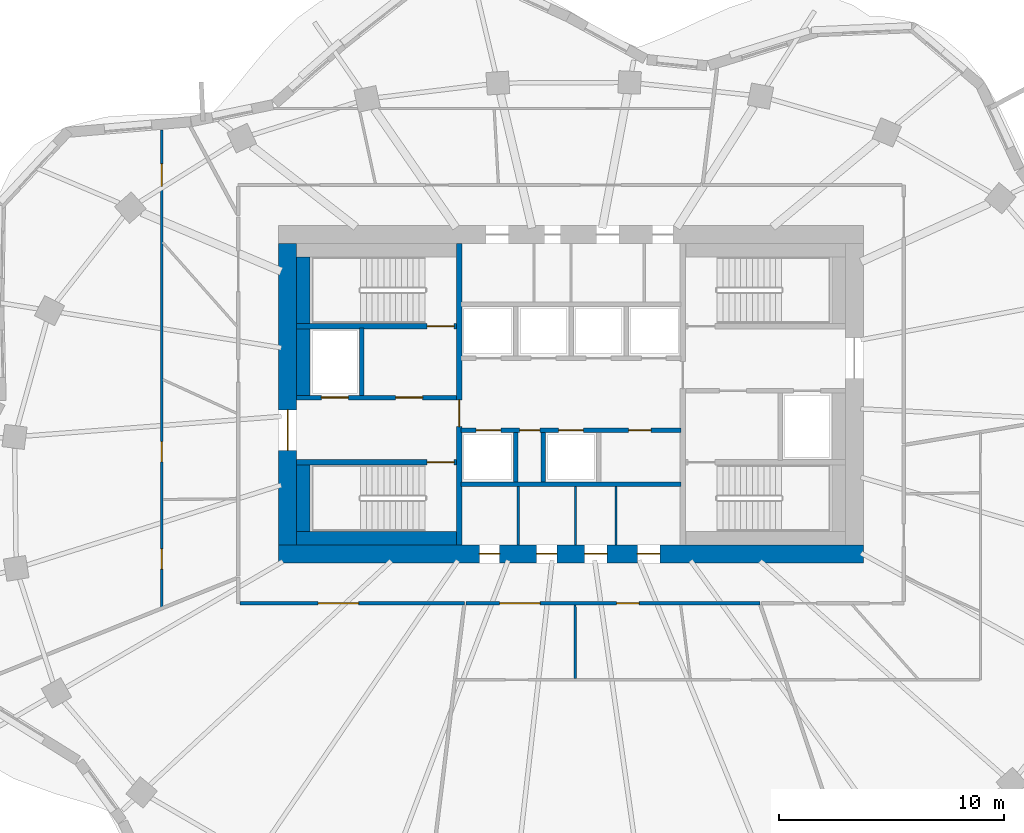
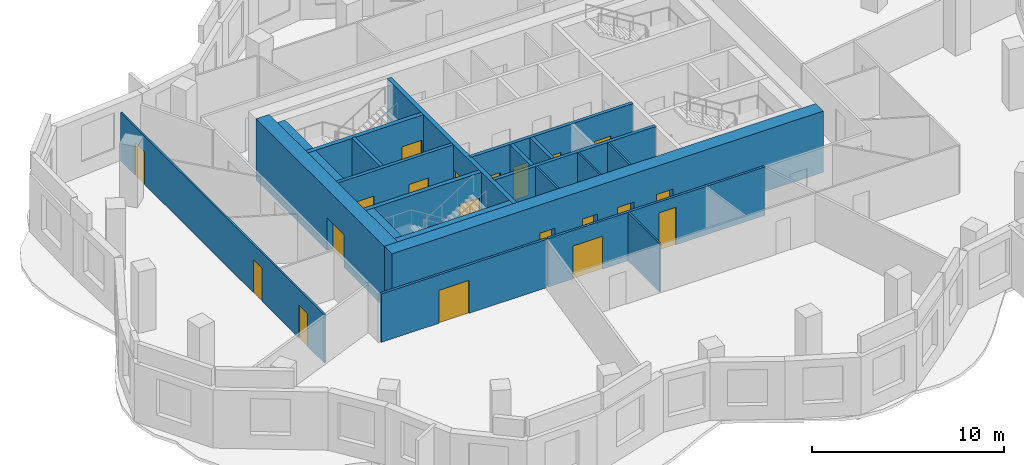
# One storey, part 4 of 9: 22 walls, 20 doors, 20 openings.
"""IFC4 building model written with IfcOpenShell, lengths in metres."""

from ifc_helpers import new_model, si_unit, direction, frame, frame_2d, origin, place, context, subcontext, project, spatial, rectangle, extrude, material, layer, layer_set, type_object, element, fill, save


model = new_model("IFC4")

# Units and contexts
model_context = context("Model", 3, precision=1e-05, world=origin(), true_north=direction((0.0, 1.0)))
body_context = subcontext(model_context, "Body", "Model", "MODEL_VIEW")
ifc_project = project(units=[si_unit("LENGTHUNIT", "METRE"), si_unit("AREAUNIT", "SQUARE_METRE"), si_unit("VOLUMEUNIT", "CUBIC_METRE"), si_unit("PLANEANGLEUNIT", "RADIAN"), si_unit("MASSUNIT", "GRAM", prefix="KILO")], contexts=[model_context])

# Site, building, storey
site_placement = place(None, origin())
site = spatial("IfcSite", under=ifc_project, at=site_placement, CompositionType="ELEMENT")
building_placement = place(site_placement, origin())
building = spatial("IfcBuilding", under=site, at=building_placement, Name="Rubra Terraces Tower", CompositionType="ELEMENT")
storey_placement = place(building_placement, frame((0.0, 0.0, 244.800048828125)))
storey = spatial("IfcBuildingStorey", under=building, at=storey_placement, Name="L60", CompositionType="ELEMENT", Elevation=244.800048828125)

# Wall, openings, doors
ifc_material_1 = material(Name="Concrete C50", Category="concrete")
ifc_layer_1 = layer(ifc_material_1, 0.800048828125)
ifc_layer_set_1 = layer_set([ifc_layer_1], Name="Concrete C50")
wall_type_1 = type_object("IfcWallType", Name="CORE WALL 800 C50", PredefinedType="SHEAR", material=ifc_layer_set_1)
wall_1_placement = place(storey_placement, frame((-13.0, -2.60009765625, 0.0), z_axis=(0.0, 0.0, 1.0), x_axis=(1.0, 0.0, 0.0)))
wall_1 = element("IfcWall", 1, at=wall_1_placement, inside=storey, type_object=wall_type_1, Name="CORE WALL S L60", PredefinedType="SHEAR", context=body_context, shape_type="SweptSolid", body=[
    extrude(rectangle(XDim=26.0, YDim=0.800048828125, at=frame_2d((13.0, 0.0))), origin(), (0.0, 0.0, 1.0), 3.89990234375),
])
opening_1_placement = place(wall_1_placement, frame((8.925048828125, 0.0, 0.0)))
opening_1 = element("IfcOpeningElement", 2, at=opening_1_placement, cuts=wall_1, Name="Opening L60.C21", PredefinedType="OPENING", context=body_context, shape_type="SweptSolid", body=[
    extrude(rectangle(XDim=0.89990234375, YDim=2.10009765625, at=frame_2d((0.449951171875, 1.050048828125))), frame((0.0, 0.409912109375, 0.0), z_axis=(0.0, -1.0, 0.0), x_axis=(1.0, 0.0, 0.0)), (0.0, 0.0, 1.0), 0.820068359375),
])
opening_2_placement = place(wall_1_placement, frame((11.47509765625, 0.0, 0.0)))
opening_2 = element("IfcOpeningElement", 3, at=opening_2_placement, cuts=wall_1, Name="Opening L60.C22", PredefinedType="OPENING", context=body_context, shape_type="SweptSolid", body=[
    extrude(rectangle(XDim=0.89990234375, YDim=2.10009765625, at=frame_2d((0.449951171875, 1.050048828125))), frame((0.0, 0.409912109375, 0.0), z_axis=(0.0, -1.0, 0.0), x_axis=(1.0, 0.0, 0.0)), (0.0, 0.0, 1.0), 0.820068359375),
])
opening_3_placement = place(wall_1_placement, frame((13.60009765625, 0.0, 0.0)))
opening_3 = element("IfcOpeningElement", 4, at=opening_3_placement, cuts=wall_1, Name="Opening L60.C23", PredefinedType="OPENING", context=body_context, shape_type="SweptSolid", body=[
    extrude(rectangle(XDim=1.0, YDim=2.10009765625, at=frame_2d((0.5, 1.050048828125))), frame((0.0, 0.409912109375, 0.0), z_axis=(0.0, -1.0, 0.0), x_axis=(1.0, 0.0, 0.0)), (0.0, 0.0, 1.0), 0.820068359375),
])
opening_4_placement = place(wall_1_placement, frame((15.949951171875, 0.0, 0.0)))
opening_4 = element("IfcOpeningElement", 5, at=opening_4_placement, cuts=wall_1, Name="Opening L60.C24", PredefinedType="OPENING", context=body_context, shape_type="SweptSolid", body=[
    extrude(rectangle(XDim=1.0, YDim=2.10009765625, at=frame_2d((0.5, 1.050048828125))), frame((0.0, 0.409912109375, 0.0), z_axis=(0.0, -1.0, 0.0), x_axis=(1.0, 0.0, 0.0)), (0.0, 0.0, 1.0), 0.820068359375),
])
ifc_material_2 = material(Name="Painted steel", Category="steel")
door_type_1 = type_object("IfcDoorType", Name="Fire door 1000x2100 single", OperationType="NOTDEFINED", PredefinedType="DOOR", material=ifc_material_2)
door_1_placement = place(opening_3_placement, origin())
door_1 = element("IfcDoor", 6, at=door_1_placement, inside=storey, type_object=door_type_1, Name="Accessible WC door", OperationType="SINGLE_SWING_LEFT", OverallHeight=2.10009765625, OverallWidth=1.0, PredefinedType="DOOR", context=body_context, shape_type="SweptSolid", body=[
    extrude(rectangle(XDim=1.0, YDim=2.10009765625, at=frame_2d((0.5, 1.050048828125))), frame((0.0, 0.02490234375, 0.0), z_axis=(0.0, -1.0, 0.0), x_axis=(1.0, 0.0, 0.0)), (0.0, 0.0, 1.0), 0.050048828125),
])
fill(opening_3, door_1)
door_2_placement = place(opening_4_placement, origin())
door_2 = element("IfcDoor", 7, at=door_2_placement, inside=storey, type_object=door_type_1, Name="General store door", OperationType="SINGLE_SWING_RIGHT", OverallHeight=2.10009765625, OverallWidth=1.0, PredefinedType="DOOR", context=body_context, shape_type="SweptSolid", body=[
    extrude(rectangle(XDim=1.0, YDim=2.10009765625, at=frame_2d((0.5, 1.050048828125))), frame((0.0, 0.02490234375, 0.0), z_axis=(0.0, -1.0, 0.0), x_axis=(1.0, 0.0, 0.0)), (0.0, 0.0, 1.0), 0.050048828125),
])
fill(opening_4, door_2)
door_type_2 = type_object("IfcDoorType", Name="Fire door 900x2100 single", OperationType="NOTDEFINED", PredefinedType="DOOR", material=ifc_material_2)
door_3_placement = place(opening_1_placement, origin())
door_3 = element("IfcDoor", 8, at=door_3_placement, inside=storey, type_object=door_type_2, Name="Ladies WC door", OperationType="SINGLE_SWING_LEFT", OverallHeight=2.10009765625, OverallWidth=0.89990234375, PredefinedType="DOOR", context=body_context, shape_type="SweptSolid", body=[
    extrude(rectangle(XDim=0.89990234375, YDim=2.10009765625, at=frame_2d((0.449951171875, 1.050048828125))), frame((0.0, 0.02490234375, 0.0), z_axis=(0.0, -1.0, 0.0), x_axis=(1.0, 0.0, 0.0)), (0.0, 0.0, 1.0), 0.050048828125),
])
fill(opening_1, door_3)
door_4_placement = place(opening_2_placement, origin())
door_4 = element("IfcDoor", 9, at=door_4_placement, inside=storey, type_object=door_type_2, Name="Gents WC door", OperationType="SINGLE_SWING_RIGHT", OverallHeight=2.10009765625, OverallWidth=0.89990234375, PredefinedType="DOOR", context=body_context, shape_type="SweptSolid", body=[
    extrude(rectangle(XDim=0.89990234375, YDim=2.10009765625, at=frame_2d((0.449951171875, 1.050048828125))), frame((0.0, 0.02490234375, 0.0), z_axis=(0.0, -1.0, 0.0), x_axis=(1.0, 0.0, 0.0)), (0.0, 0.0, 1.0), 0.050048828125),
])
fill(opening_2, door_4)

# Wall, opening, door
wall_2_placement = place(storey_placement, frame((-12.60009765625, -2.199951171875, 0.0), z_axis=(0.0, 0.0, 1.0), x_axis=(0.0, 1.0, 0.0)))
wall_2 = element("IfcWall", 10, at=wall_2_placement, inside=storey, type_object=wall_type_1, Name="CORE WALL W L60", PredefinedType="SHEAR", context=body_context, shape_type="SweptSolid", body=[
    extrude(rectangle(XDim=13.39990234375, YDim=0.800048828125, at=frame_2d((6.699951171875, 0.0))), origin(), (0.0, 0.0, 1.0), 3.89990234375),
])
opening_5_placement = place(wall_2_placement, frame((4.199951171875, 0.0, 0.0)))
opening_5 = element("IfcOpeningElement", 11, at=opening_5_placement, cuts=wall_2, Name="Opening L60.C01", PredefinedType="OPENING", context=body_context, shape_type="SweptSolid", body=[
    extrude(rectangle(XDim=1.800048828125, YDim=2.10009765625, at=frame_2d((0.89990234375, 1.050048828125))), frame((0.0, 0.409912109375, 0.0), z_axis=(0.0, -1.0, 0.0), x_axis=(1.0, 0.0, 0.0)), (0.0, 0.0, 1.0), 0.820068359375),
])
door_type_3 = type_object("IfcDoorType", Name="Fire door 1800x2100 double", OperationType="NOTDEFINED", PredefinedType="DOOR", material=ifc_material_2)
door_5_placement = place(opening_5_placement, origin())
door_5 = element("IfcDoor", 12, at=door_5_placement, inside=storey, type_object=door_type_3, Name="Core entrance door FF1", OperationType="DOUBLE_DOOR_SINGLE_SWING", OverallHeight=2.10009765625, OverallWidth=1.800048828125, PredefinedType="DOOR", context=body_context, shape_type="SweptSolid", body=[
    extrude(rectangle(XDim=1.800048828125, YDim=2.10009765625, at=frame_2d((0.89990234375, 1.050048828125))), frame((0.0, 0.02490234375, 0.0), z_axis=(0.0, -1.0, 0.0), x_axis=(1.0, 0.0, 0.0)), (0.0, 0.0, 1.0), 0.050048828125),
])
fill(opening_5, door_5)

ifc_material_3 = material(Name="Plasterboard on steel stud, mineral wool infill", Category="steel")
ifc_layer_2 = layer(ifc_material_3, 0.14990234375)
ifc_layer_set_2 = layer_set([ifc_layer_2], Name="Plasterboard on steel stud, mineral wool infill")
wall_type_2 = type_object("IfcWallType", Name="CORRIDOR PARTITION 150", PredefinedType="PARTITIONING", material=ifc_layer_set_2)
wall_3_placement = place(storey_placement, frame((-14.72509765625, -4.800048828125, 0.0), z_axis=(0.0, 0.0, 1.0), x_axis=(1.0, 0.0, 0.0)))
wall_3 = element("IfcWall", 13, at=wall_3_placement, inside=storey, type_object=wall_type_2, Name="PARTITION", PredefinedType="PARTITIONING", context=body_context, shape_type="SweptSolid", body=[
    extrude(rectangle(XDim=9.986572265625, YDim=0.14990234375, at=frame_2d((4.9931640625, 0.0))), origin(), (0.0, 0.0, 1.0), 3.083984375),
])
opening_6_placement = place(wall_3_placement, frame((3.48388671875, 0.0, 0.0)))
opening_6 = element("IfcOpeningElement", 14, at=opening_6_placement, cuts=wall_3, Name="Opening 60-101", PredefinedType="OPENING", context=body_context, shape_type="SweptSolid", body=[
    extrude(rectangle(XDim=1.800048828125, YDim=2.10009765625, at=frame_2d((0.89990234375, 1.050048828125))), frame((0.0, 0.0849609375, 0.0), z_axis=(0.0, -1.0, 0.0), x_axis=(1.0, 0.0, 0.0)), (0.0, 0.0, 1.0), 0.169921875),
])
ifc_material_4 = material(Name="Painted timber door leaf, double", Category="wood")
door_type_4 = type_object("IfcDoorType", Name="ROOM DOUBLE DOOR 1800 X 2100", OperationType="DOUBLE_DOOR_SINGLE_SWING", PredefinedType="DOOR", material=ifc_material_4)
door_6_placement = place(opening_6_placement, origin())
door_6 = element("IfcDoor", 15, at=door_6_placement, inside=storey, type_object=door_type_4, Name="DOOR 60-101", OperationType="DOUBLE_DOOR_SINGLE_SWING", OverallHeight=2.10009765625, OverallWidth=1.800048828125, PredefinedType="DOOR", context=body_context, shape_type="SweptSolid", body=[
    extrude(rectangle(XDim=1.800048828125, YDim=2.10009765625, at=frame_2d((0.89990234375, 1.050048828125))), frame((0.0, 0.02490234375, 0.0), z_axis=(0.0, -1.0, 0.0), x_axis=(1.0, 0.0, 0.0)), (0.0, 0.0, 1.0), 0.050048828125),
])
fill(opening_6, door_6)

# Wall, openings, doors
wall_4_placement = place(storey_placement, frame((-4.66357421875, -4.800048828125, 0.0), z_axis=(0.0, 0.0, 1.0), x_axis=(1.0, 0.0, 0.0)))
wall_4 = element("IfcWall", 16, at=wall_4_placement, inside=storey, type_object=wall_type_2, Name="PARTITION", PredefinedType="PARTITIONING", context=body_context, shape_type="SweptSolid", body=[
    extrude(rectangle(XDim=13.05810546875, YDim=0.14990234375, at=frame_2d((6.529052734375, 0.0))), origin(), (0.0, 0.0, 1.0), 3.083984375),
])
opening_7_placement = place(wall_4_placement, frame((1.485107421875, 0.0, 0.0)))
opening_7 = element("IfcOpeningElement", 17, at=opening_7_placement, cuts=wall_4, Name="Opening 60-102", PredefinedType="OPENING", context=body_context, shape_type="SweptSolid", body=[
    extrude(rectangle(XDim=1.800048828125, YDim=2.10009765625, at=frame_2d((0.89990234375, 1.050048828125))), frame((0.0, 0.0849609375, 0.0), z_axis=(0.0, -1.0, 0.0), x_axis=(1.0, 0.0, 0.0)), (0.0, 0.0, 1.0), 0.169921875),
])
opening_8_placement = place(wall_4_placement, frame((6.68603515625, 0.0, 0.0)))
opening_8 = element("IfcOpeningElement", 18, at=opening_8_placement, cuts=wall_4, Name="Opening 60-104", PredefinedType="OPENING", context=body_context, shape_type="SweptSolid", body=[
    extrude(rectangle(XDim=1.0, YDim=2.39990234375, at=frame_2d((0.5, 1.199951171875))), frame((0.0, 0.0849609375, 0.0), z_axis=(0.0, -1.0, 0.0), x_axis=(1.0, 0.0, 0.0)), (0.0, 0.0, 1.0), 0.169921875),
])
ifc_material_5 = material(Name="Glazed aluminium meeting door leaf", Category="aluminium")
door_type_5 = type_object("IfcDoorType", Name="MEETING ROOM GLAZED DOOR 1000 X 2400", OperationType="SINGLE_SWING_LEFT", PredefinedType="DOOR", material=ifc_material_5)
door_7_placement = place(opening_8_placement, origin())
door_7 = element("IfcDoor", 19, at=door_7_placement, inside=storey, type_object=door_type_5, Name="DOOR 60-104", OperationType="SINGLE_SWING_RIGHT", OverallHeight=2.39990234375, OverallWidth=1.0, PredefinedType="DOOR", context=body_context, shape_type="SweptSolid", body=[
    extrude(rectangle(XDim=1.0, YDim=2.39990234375, at=frame_2d((0.5, 1.199951171875))), frame((0.0, 0.02490234375, 0.0), z_axis=(0.0, -1.0, 0.0), x_axis=(1.0, 0.0, 0.0)), (0.0, 0.0, 1.0), 0.050048828125),
])
fill(opening_8, door_7)
door_8_placement = place(opening_7_placement, origin())
door_8 = element("IfcDoor", 20, at=door_8_placement, inside=storey, type_object=door_type_4, Name="DOOR 60-102", OperationType="DOUBLE_DOOR_SINGLE_SWING", OverallHeight=2.10009765625, OverallWidth=1.800048828125, PredefinedType="DOOR", context=body_context, shape_type="SweptSolid", body=[
    extrude(rectangle(XDim=1.800048828125, YDim=2.10009765625, at=frame_2d((0.89990234375, 1.050048828125))), frame((0.0, 0.02490234375, 0.0), z_axis=(0.0, -1.0, 0.0), x_axis=(1.0, 0.0, 0.0)), (0.0, 0.0, 1.0), 0.050048828125),
])
fill(opening_7, door_8)

# Walls
ifc_material_6 = material(Name="Concrete C40", Category="concrete")
ifc_layer_3 = layer(ifc_material_6, 0.60009765625)
ifc_layer_set_3 = layer_set([ifc_layer_3], Name="Concrete C40")
wall_type_3 = type_object("IfcWallType", Name="Core lining wall 600 concrete", PredefinedType="SOLIDWALL", material=ifc_layer_set_3)
wall_5_placement = place(storey_placement, frame((-12.199951171875, -1.89990234375, 0.0), z_axis=(0.0, 0.0, 1.0), x_axis=(1.0, 0.0, 0.0)))
element("IfcWall", 21, at=wall_5_placement, inside=storey, type_object=wall_type_3, Name="CORE LINING WALL L60", PredefinedType="SOLIDWALL", context=body_context, shape_type="SweptSolid", body=[
    extrude(rectangle(XDim=7.099853515625, YDim=0.60009765625, at=frame_2d((3.5498046875, 0.0))), origin(), (0.0, 0.0, 1.0), 3.699951171875),
])
wall_6_placement = place(storey_placement, frame((-11.89990234375, -1.60009765625, 0.0), z_axis=(0.0, 0.0, 1.0), x_axis=(0.0, 1.0, 0.0)))
element("IfcWall", 22, at=wall_6_placement, inside=storey, type_object=wall_type_3, Name="CORE LINING WALL L60", PredefinedType="SOLIDWALL", context=body_context, shape_type="SweptSolid", body=[
    extrude(rectangle(XDim=2.9501953125, YDim=0.60009765625, at=frame_2d((1.47509765625, 0.0))), origin(), (0.0, 0.0, 1.0), 3.699951171875),
])
wall_7_placement = place(storey_placement, frame((-11.89990234375, 4.449951171875, 0.0), z_axis=(0.0, 0.0, 1.0), x_axis=(0.0, 1.0, 0.0)))
element("IfcWall", 23, at=wall_7_placement, inside=storey, type_object=wall_type_3, Name="CORE LINING WALL L60", PredefinedType="SOLIDWALL", context=body_context, shape_type="SweptSolid", body=[
    extrude(rectangle(XDim=3.0, YDim=0.60009765625, at=frame_2d((1.5, 0.0))), origin(), (0.0, 0.0, 1.0), 3.699951171875),
])
wall_8_placement = place(storey_placement, frame((-11.89990234375, 7.64990234375, 0.0), z_axis=(0.0, 0.0, 1.0), x_axis=(0.0, 1.0, 0.0)))
element("IfcWall", 24, at=wall_8_placement, inside=storey, type_object=wall_type_3, Name="CORE LINING WALL L60", PredefinedType="SOLIDWALL", context=body_context, shape_type="SweptSolid", body=[
    extrude(rectangle(XDim=2.9501953125, YDim=0.60009765625, at=frame_2d((1.47509765625, 0.0))), origin(), (0.0, 0.0, 1.0), 3.699951171875),
])

# Wall, openings, doors
ifc_material_7 = material(Name="Concrete C30", Category="concrete")
ifc_layer_4 = layer(ifc_material_7, 0.199951171875)
ifc_layer_set_4 = layer_set([ifc_layer_4], Name="Concrete C30")
wall_type_4 = type_object("IfcWallType", Name="Core wall 200 concrete", PredefinedType="SOLIDWALL", material=ifc_layer_set_4)
wall_9_placement = place(storey_placement, frame((-12.199951171875, 4.35009765625, 0.0), z_axis=(0.0, 0.0, 1.0), x_axis=(1.0, 0.0, 0.0)))
wall_9 = element("IfcWall", 25, at=wall_9_placement, inside=storey, type_object=wall_type_4, Name="STAIR WALL L60", PredefinedType="SOLIDWALL", context=body_context, shape_type="SweptSolid", body=[
    extrude(rectangle(XDim=7.099853515625, YDim=0.199951171875, at=frame_2d((3.5498046875, 0.0))), origin(), (0.0, 0.0, 1.0), 3.699951171875),
])
opening_9_placement = place(wall_9_placement, frame((4.39990234375, 0.0, 0.0)))
opening_9 = element("IfcOpeningElement", 26, at=opening_9_placement, cuts=wall_9, Name="Opening L60.C05", PredefinedType="OPENING", context=body_context, shape_type="SweptSolid", body=[
    extrude(rectangle(XDim=1.199951171875, YDim=2.10009765625, at=frame_2d((0.60009765625, 1.050048828125))), frame((0.0, 0.10986328125, 0.0), z_axis=(0.0, -1.0, 0.0), x_axis=(1.0, 0.0, 0.0)), (0.0, 0.0, 1.0), 0.219970703125),
])
opening_10_placement = place(wall_9_placement, frame((1.10009765625, 0.0, 0.0)))
opening_10 = element("IfcOpeningElement", 27, at=opening_10_placement, cuts=wall_9, Name="Opening L60.C11", PredefinedType="OPENING", context=body_context, shape_type="SweptSolid", body=[
    extrude(rectangle(XDim=1.199951171875, YDim=2.10009765625, at=frame_2d((0.60009765625, 1.050048828125))), frame((0.0, 0.10986328125, 0.0), z_axis=(0.0, -1.0, 0.0), x_axis=(1.0, 0.0, 0.0)), (0.0, 0.0, 1.0), 0.219970703125),
])
door_type_6 = type_object("IfcDoorType", Name="Fire door 1200x2100 single", OperationType="NOTDEFINED", PredefinedType="DOOR", material=ifc_material_2)
door_9_placement = place(opening_9_placement, origin())
door_9 = element("IfcDoor", 28, at=door_9_placement, inside=storey, type_object=door_type_6, Name="Stair vestibule door S2", OperationType="SINGLE_SWING_LEFT", OverallHeight=2.10009765625, OverallWidth=1.199951171875, PredefinedType="DOOR", context=body_context, shape_type="SweptSolid", body=[
    extrude(rectangle(XDim=1.199951171875, YDim=2.10009765625, at=frame_2d((0.60009765625, 1.050048828125))), frame((0.0, 0.02490234375, 0.0), z_axis=(0.0, -1.0, 0.0), x_axis=(1.0, 0.0, 0.0)), (0.0, 0.0, 1.0), 0.050048828125),
])
fill(opening_9, door_9)
ifc_material_8 = material(Name="Stainless steel", Category="steel")
door_type_7 = type_object("IfcDoorType", Name="Lift landing door 1200x2100", OperationType="NOTDEFINED", PredefinedType="DOOR", material=ifc_material_8)
door_10_placement = place(opening_10_placement, origin())
door_10 = element("IfcDoor", 29, at=door_10_placement, inside=storey, type_object=door_type_7, Name="Landing door FF1", OperationType="SLIDING_TO_RIGHT", OverallHeight=2.10009765625, OverallWidth=1.199951171875, PredefinedType="DOOR", context=body_context, shape_type="SweptSolid", body=[
    extrude(rectangle(XDim=1.199951171875, YDim=2.10009765625, at=frame_2d((0.60009765625, 1.050048828125))), frame((0.0, 0.02490234375, 0.0), z_axis=(0.0, -1.0, 0.0), x_axis=(1.0, 0.0, 0.0)), (0.0, 0.0, 1.0), 0.050048828125),
])
fill(opening_10, door_10)

# Walls
wall_10_placement = place(storey_placement, frame((-9.300048828125, 4.449951171875, 0.0), z_axis=(0.0, 0.0, 1.0), x_axis=(0.0, 1.0, 0.0)))
element("IfcWall", 30, at=wall_10_placement, inside=storey, type_object=wall_type_4, Name="STAIR WALL L60", PredefinedType="SOLIDWALL", context=body_context, shape_type="SweptSolid", body=[
    extrude(rectangle(XDim=3.0, YDim=0.199951171875, at=frame_2d((1.5, 0.0))), origin(), (0.0, 0.0, 1.0), 3.699951171875),
])
wall_11_placement = place(storey_placement, frame((-4.89990234375, 0.5, 0.0), z_axis=(0.0, 0.0, 1.0), x_axis=(1.0, 0.0, 0.0)))
element("IfcWall", 31, at=wall_11_placement, inside=storey, type_object=wall_type_4, Name="LIFT SHAFT WALL L60", PredefinedType="SOLIDWALL", context=body_context, shape_type="SweptSolid", body=[
    extrude(rectangle(XDim=9.7998046875, YDim=0.199951171875, at=frame_2d((4.89990234375, 0.0))), origin(), (0.0, 0.0, 1.0), 3.699951171875),
])

# Wall, openings, doors
wall_12_placement = place(storey_placement, frame((-4.89990234375, 2.89990234375, 0.0), z_axis=(0.0, 0.0, 1.0), x_axis=(1.0, 0.0, 0.0)))
wall_12 = element("IfcWall", 32, at=wall_12_placement, inside=storey, type_object=wall_type_4, Name="LIFT SHAFT WALL L60", PredefinedType="SOLIDWALL", context=body_context, shape_type="SweptSolid", body=[
    extrude(rectangle(XDim=9.7998046875, YDim=0.199951171875, at=frame_2d((4.89990234375, 0.0))), origin(), (0.0, 0.0, 1.0), 3.699951171875),
])
opening_11_placement = place(wall_12_placement, frame((0.675048828125, 0.0, 0.0)))
opening_11 = element("IfcOpeningElement", 33, at=opening_11_placement, cuts=wall_12, Name="Opening L60.C13", PredefinedType="OPENING", context=body_context, shape_type="SweptSolid", body=[
    extrude(rectangle(XDim=1.10009765625, YDim=2.10009765625, at=frame_2d((0.550048828125, 1.050048828125))), frame((0.0, 0.10986328125, 0.0), z_axis=(0.0, -1.0, 0.0), x_axis=(1.0, 0.0, 0.0)), (0.0, 0.0, 1.0), 0.219970703125),
])
opening_12_placement = place(wall_12_placement, frame((2.613037109375, 0.0, 0.0)))
opening_12 = element("IfcOpeningElement", 34, at=opening_12_placement, cuts=wall_12, Name="Opening L60.C14", PredefinedType="OPENING", context=body_context, shape_type="SweptSolid", body=[
    extrude(rectangle(XDim=0.89990234375, YDim=2.10009765625, at=frame_2d((0.449951171875, 1.050048828125))), frame((0.0, 0.10986328125, 0.0), z_axis=(0.0, -1.0, 0.0), x_axis=(1.0, 0.0, 0.0)), (0.0, 0.0, 1.0), 0.219970703125),
])
opening_13_placement = place(wall_12_placement, frame((4.35009765625, 0.0, 0.0)))
opening_13 = element("IfcOpeningElement", 35, at=opening_13_placement, cuts=wall_12, Name="Opening L60.C15", PredefinedType="OPENING", context=body_context, shape_type="SweptSolid", body=[
    extrude(rectangle(XDim=1.10009765625, YDim=2.10009765625, at=frame_2d((0.550048828125, 1.050048828125))), frame((0.0, 0.10986328125, 0.0), z_axis=(0.0, -1.0, 0.0), x_axis=(1.0, 0.0, 0.0)), (0.0, 0.0, 1.0), 0.219970703125),
])
opening_14_placement = place(wall_12_placement, frame((7.462890625, 0.0, 0.0)))
opening_14 = element("IfcOpeningElement", 36, at=opening_14_placement, cuts=wall_12, Name="Opening L60.C16", PredefinedType="OPENING", context=body_context, shape_type="SweptSolid", body=[
    extrude(rectangle(XDim=1.0, YDim=2.10009765625, at=frame_2d((0.5, 1.050048828125))), frame((0.0, 0.10986328125, 0.0), z_axis=(0.0, -1.0, 0.0), x_axis=(1.0, 0.0, 0.0)), (0.0, 0.0, 1.0), 0.219970703125),
])
door_11_placement = place(opening_14_placement, origin())
door_11 = element("IfcDoor", 37, at=door_11_placement, inside=storey, type_object=door_type_1, Name="Linen store door", OperationType="SINGLE_SWING_RIGHT", OverallHeight=2.10009765625, OverallWidth=1.0, PredefinedType="DOOR", context=body_context, shape_type="SweptSolid", body=[
    extrude(rectangle(XDim=1.0, YDim=2.10009765625, at=frame_2d((0.5, 1.050048828125))), frame((0.0, 0.02490234375, 0.0), z_axis=(0.0, -1.0, 0.0), x_axis=(1.0, 0.0, 0.0)), (0.0, 0.0, 1.0), 0.050048828125),
])
fill(opening_14, door_11)
door_12_placement = place(opening_12_placement, origin())
door_12 = element("IfcDoor", 38, at=door_12_placement, inside=storey, type_object=door_type_2, Name="Cleaner's store door", OperationType="SINGLE_SWING_RIGHT", OverallHeight=2.10009765625, OverallWidth=0.89990234375, PredefinedType="DOOR", context=body_context, shape_type="SweptSolid", body=[
    extrude(rectangle(XDim=0.89990234375, YDim=2.10009765625, at=frame_2d((0.449951171875, 1.050048828125))), frame((0.0, 0.02490234375, 0.0), z_axis=(0.0, -1.0, 0.0), x_axis=(1.0, 0.0, 0.0)), (0.0, 0.0, 1.0), 0.050048828125),
])
fill(opening_12, door_12)
door_type_8 = type_object("IfcDoorType", Name="Lift landing door 1100x2100", OperationType="NOTDEFINED", PredefinedType="DOOR", material=ifc_material_8)
door_13_placement = place(opening_11_placement, origin())
door_13 = element("IfcDoor", 39, at=door_13_placement, inside=storey, type_object=door_type_8, Name="Landing door HB1", OperationType="SLIDING_TO_RIGHT", OverallHeight=2.10009765625, OverallWidth=1.10009765625, PredefinedType="DOOR", context=body_context, shape_type="SweptSolid", body=[
    extrude(rectangle(XDim=1.10009765625, YDim=2.10009765625, at=frame_2d((0.550048828125, 1.050048828125))), frame((0.0, 0.02490234375, 0.0), z_axis=(0.0, -1.0, 0.0), x_axis=(1.0, 0.0, 0.0)), (0.0, 0.0, 1.0), 0.050048828125),
])
fill(opening_11, door_13)
door_14_placement = place(opening_13_placement, origin())
door_14 = element("IfcDoor", 40, at=door_14_placement, inside=storey, type_object=door_type_8, Name="Landing door HB2", OperationType="SLIDING_TO_LEFT", OverallHeight=2.10009765625, OverallWidth=1.10009765625, PredefinedType="DOOR", context=body_context, shape_type="SweptSolid", body=[
    extrude(rectangle(XDim=1.10009765625, YDim=2.10009765625, at=frame_2d((0.550048828125, 1.050048828125))), frame((0.0, 0.02490234375, 0.0), z_axis=(0.0, -1.0, 0.0), x_axis=(1.0, 0.0, 0.0)), (0.0, 0.0, 1.0), 0.050048828125),
])
fill(opening_13, door_14)

# Walls
for number, where, z_axis, x_axis, name in (
    (41, (-2.449951171875, 0.60009765625, 0.0), (0.0, 0.0, 1.0), (0.0, 1.0, 0.0), "LIFT SHAFT WALL L60"),
    (42, (-1.22509765625, 0.60009765625, 0.0), (0.0, 0.0, 1.0), (0.0, 1.0, 0.0), "LIFT SHAFT WALL L60"),
):
    element("IfcWall", number, at=place(storey_placement, frame(where, z_axis=z_axis, x_axis=x_axis)), inside=storey, type_object=wall_type_4, Name=name, PredefinedType="SOLIDWALL", context=body_context, shape_type="SweptSolid", body=[
        extrude(rectangle(XDim=2.199951171875, YDim=0.199951171875, at=frame_2d((1.10009765625, 0.0))), origin(), (0.0, 0.0, 1.0), 3.699951171875),
    ])
ifc_material_9 = material(Name="Plasterboard on steel stud", Category="steel")
ifc_layer_5 = layer(ifc_material_9, 0.10009765625)
ifc_layer_set_5 = layer_set([ifc_layer_5], Name="Plasterboard on steel stud")
wall_type_5 = type_object("IfcWallType", Name="ROOM PARTITION 100", PredefinedType="PARTITIONING", material=ifc_layer_set_5)
wall_13_placement = place(storey_placement, frame((0.181396484375, -4.875, 0.0), z_axis=(0.0, 0.0, 1.0), x_axis=(0.002311012168, -0.999997329608, 0.0)))
element("IfcWall", 43, at=wall_13_placement, inside=storey, type_object=wall_type_5, Name="PARTITION", PredefinedType="PARTITIONING", context=body_context, shape_type="SweptSolid", body=[
    extrude(rectangle(XDim=3.27490234375, YDim=0.10009765625, at=frame_2d((1.637451171875, 0.0))), origin(), (0.0, 0.0, 1.0), 3.083984375),
])

# Wall, openings, doors
wall_14_placement = place(storey_placement, frame((-18.199951171875, -5.006103515625, 0.0), z_axis=(0.0, 0.0, 1.0), x_axis=(0.0, 1.0, 0.0)))
wall_14 = element("IfcWall", 44, at=wall_14_placement, inside=storey, type_object=wall_type_5, Name="PARTITION", PredefinedType="PARTITIONING", context=body_context, shape_type="SweptSolid", body=[
    extrude(rectangle(XDim=21.259765625, YDim=0.10009765625, at=frame_2d((10.6298828125, 0.0))), origin(), (0.0, 0.0, 1.0), 3.083984375),
])
opening_15_placement = place(wall_14_placement, frame((18.7451171875, 0.0, 0.0)))
opening_15 = element("IfcOpeningElement", 45, at=opening_15_placement, cuts=wall_14, Name="Opening 60-116", PredefinedType="OPENING", context=body_context, shape_type="SweptSolid", body=[
    extrude(rectangle(XDim=1.0, YDim=2.10009765625, at=frame_2d((0.5, 1.050048828125))), frame((0.0, 0.06005859375, 0.0), z_axis=(0.0, -1.0, 0.0), x_axis=(1.0, 0.0, 0.0)), (0.0, 0.0, 1.0), 0.1201171875),
])
opening_16_placement = place(wall_14_placement, frame((6.489013671875, 0.0, 0.0)))
opening_16 = element("IfcOpeningElement", 46, at=opening_16_placement, cuts=wall_14, Name="Opening 60-118", PredefinedType="OPENING", context=body_context, shape_type="SweptSolid", body=[
    extrude(rectangle(XDim=0.89990234375, YDim=2.10009765625, at=frame_2d((0.449951171875, 1.050048828125))), frame((0.0, 0.06005859375, 0.0), z_axis=(0.0, -1.0, 0.0), x_axis=(1.0, 0.0, 0.0)), (0.0, 0.0, 1.0), 0.1201171875),
])
opening_17_placement = place(wall_14_placement, frame((1.73095703125, 0.0, 0.0)))
opening_17 = element("IfcOpeningElement", 47, at=opening_17_placement, cuts=wall_14, Name="Opening 60-119", PredefinedType="OPENING", context=body_context, shape_type="SweptSolid", body=[
    extrude(rectangle(XDim=0.89990234375, YDim=2.10009765625, at=frame_2d((0.449951171875, 1.050048828125))), frame((0.0, 0.06005859375, 0.0), z_axis=(0.0, -1.0, 0.0), x_axis=(1.0, 0.0, 0.0)), (0.0, 0.0, 1.0), 0.1201171875),
])
ifc_material_10 = material(Name="Painted timber door leaf", Category="wood")
door_type_9 = type_object("IfcDoorType", Name="ROOM DOOR 1000 X 2100", OperationType="SINGLE_SWING_LEFT", PredefinedType="DOOR", material=ifc_material_10)
door_15_placement = place(opening_15_placement, origin())
door_15 = element("IfcDoor", 48, at=door_15_placement, inside=storey, type_object=door_type_9, Name="DOOR 60-116", OperationType="SINGLE_SWING_LEFT", OverallHeight=2.10009765625, OverallWidth=1.0, PredefinedType="DOOR", context=body_context, shape_type="SweptSolid", body=[
    extrude(rectangle(XDim=1.0, YDim=2.10009765625, at=frame_2d((0.5, 1.050048828125))), frame((0.0, 0.02490234375, 0.0), z_axis=(0.0, -1.0, 0.0), x_axis=(1.0, 0.0, 0.0)), (0.0, 0.0, 1.0), 0.050048828125),
])
fill(opening_15, door_15)
door_type_10 = type_object("IfcDoorType", Name="ROOM DOOR 900 X 2100", OperationType="SINGLE_SWING_LEFT", PredefinedType="DOOR", material=ifc_material_10)
door_16_placement = place(opening_16_placement, origin())
door_16 = element("IfcDoor", 49, at=door_16_placement, inside=storey, type_object=door_type_10, Name="DOOR 60-118", OperationType="SINGLE_SWING_LEFT", OverallHeight=2.10009765625, OverallWidth=0.89990234375, PredefinedType="DOOR", context=body_context, shape_type="SweptSolid", body=[
    extrude(rectangle(XDim=0.89990234375, YDim=2.10009765625, at=frame_2d((0.449951171875, 1.050048828125))), frame((0.0, 0.02490234375, 0.0), z_axis=(0.0, -1.0, 0.0), x_axis=(1.0, 0.0, 0.0)), (0.0, 0.0, 1.0), 0.050048828125),
])
fill(opening_16, door_16)
door_17_placement = place(opening_17_placement, origin())
door_17 = element("IfcDoor", 50, at=door_17_placement, inside=storey, type_object=door_type_10, Name="DOOR 60-119", OperationType="SINGLE_SWING_LEFT", OverallHeight=2.10009765625, OverallWidth=0.89990234375, PredefinedType="DOOR", context=body_context, shape_type="SweptSolid", body=[
    extrude(rectangle(XDim=0.89990234375, YDim=2.10009765625, at=frame_2d((0.449951171875, 1.050048828125))), frame((0.0, 0.02490234375, 0.0), z_axis=(0.0, -1.0, 0.0), x_axis=(1.0, 0.0, 0.0)), (0.0, 0.0, 1.0), 0.050048828125),
])
fill(opening_17, door_17)

# Walls
ifc_material_11 = material(Name="Blockwork", Category="masonry")
ifc_layer_6 = layer(ifc_material_11, 0.10009765625)
ifc_layer_set_6 = layer_set([ifc_layer_6], Name="Blockwork")
wall_type_6 = type_object("IfcWallType", Name="Service partition 100 blockwork", PredefinedType="PARTITIONING", material=ifc_layer_set_6)
for number, where, z_axis, x_axis, name in (
    (51, (-2.35009765625, -2.199951171875, 0.0), (0.0, 0.0, 1.0), (0.0, 1.0, 0.0), "SERVICE ROOM PARTITION L60"),
    (52, (0.199951171875, -2.199951171875, 0.0), (0.0, 0.0, 1.0), (0.0, 1.0, 0.0), "SERVICE ROOM PARTITION L60"),
    (53, (2.0, -2.199951171875, 0.0), (0.0, 0.0, 1.0), (0.0, 1.0, 0.0), "SERVICE ROOM PARTITION L60"),
):
    element("IfcWall", number, at=place(storey_placement, frame(where, z_axis=z_axis, x_axis=x_axis)), inside=storey, type_object=wall_type_6, Name=name, PredefinedType="PARTITIONING", context=body_context, shape_type="SweptSolid", body=[
        extrude(rectangle(XDim=2.599853515625, YDim=0.10009765625, at=frame_2d((1.2998046875, 0.0))), origin(), (0.0, 0.0, 1.0), 3.699951171875),
    ])

# Wall, opening, door
ifc_layer_7 = layer(ifc_material_6, 0.25)
ifc_layer_set_7 = layer_set([ifc_layer_7], Name="Concrete C40")
wall_type_7 = type_object("IfcWallType", Name="Stair enclosure wall 250 concrete", PredefinedType="SOLIDWALL", material=ifc_layer_set_7)
wall_15_placement = place(storey_placement, frame((-12.199951171875, 1.47509765625, 0.0), z_axis=(0.0, 0.0, 1.0), x_axis=(1.0, 0.0, 0.0)))
wall_15 = element("IfcWall", 54, at=wall_15_placement, inside=storey, type_object=wall_type_7, Name="STAIR WALL L60", PredefinedType="SOLIDWALL", context=body_context, shape_type="SweptSolid", body=[
    extrude(rectangle(XDim=7.099853515625, YDim=0.25, at=frame_2d((3.5498046875, 0.0))), origin(), (0.0, 0.0, 1.0), 3.699951171875),
])
opening_18_placement = place(wall_15_placement, frame((5.800048828125, 0.0, 0.0)))
opening_18 = element("IfcOpeningElement", 55, at=opening_18_placement, cuts=wall_15, Name="Opening L60.C07", PredefinedType="OPENING", context=body_context, shape_type="SweptSolid", body=[
    extrude(rectangle(XDim=1.199951171875, YDim=2.10009765625, at=frame_2d((0.60009765625, 1.050048828125))), frame((0.0, 0.135009765625, 0.0), z_axis=(0.0, -1.0, 0.0), x_axis=(1.0, 0.0, 0.0)), (0.0, 0.0, 1.0), 0.27001953125),
])
door_18_placement = place(opening_18_placement, origin())
door_18 = element("IfcDoor", 56, at=door_18_placement, inside=storey, type_object=door_type_6, Name="Stair door S1", OperationType="SINGLE_SWING_LEFT", OverallHeight=2.10009765625, OverallWidth=1.199951171875, PredefinedType="DOOR", context=body_context, shape_type="SweptSolid", body=[
    extrude(rectangle(XDim=1.199951171875, YDim=2.10009765625, at=frame_2d((0.60009765625, 1.050048828125))), frame((0.0, 0.02490234375, 0.0), z_axis=(0.0, -1.0, 0.0), x_axis=(1.0, 0.0, 0.0)), (0.0, 0.0, 1.0), 0.050048828125),
])
fill(opening_18, door_18)

wall_16_placement = place(storey_placement, frame((-12.199951171875, 7.52490234375, 0.0), z_axis=(0.0, 0.0, 1.0), x_axis=(1.0, 0.0, 0.0)))
wall_16 = element("IfcWall", 57, at=wall_16_placement, inside=storey, type_object=wall_type_7, Name="STAIR WALL L60", PredefinedType="SOLIDWALL", context=body_context, shape_type="SweptSolid", body=[
    extrude(rectangle(XDim=7.099853515625, YDim=0.25, at=frame_2d((3.5498046875, 0.0))), origin(), (0.0, 0.0, 1.0), 3.699951171875),
])
opening_19_placement = place(wall_16_placement, frame((5.800048828125, 0.0, 0.0)))
opening_19 = element("IfcOpeningElement", 58, at=opening_19_placement, cuts=wall_16, Name="Opening L60.C09", PredefinedType="OPENING", context=body_context, shape_type="SweptSolid", body=[
    extrude(rectangle(XDim=1.199951171875, YDim=2.10009765625, at=frame_2d((0.60009765625, 1.050048828125))), frame((0.0, 0.135009765625, 0.0), z_axis=(0.0, -1.0, 0.0), x_axis=(1.0, 0.0, 0.0)), (0.0, 0.0, 1.0), 0.27001953125),
])
door_19_placement = place(opening_19_placement, origin())
door_19 = element("IfcDoor", 59, at=door_19_placement, inside=storey, type_object=door_type_6, Name="Stair door S2", OperationType="SINGLE_SWING_LEFT", OverallHeight=2.10009765625, OverallWidth=1.199951171875, PredefinedType="DOOR", context=body_context, shape_type="SweptSolid", body=[
    extrude(rectangle(XDim=1.199951171875, YDim=2.10009765625, at=frame_2d((0.60009765625, 1.050048828125))), frame((0.0, 0.02490234375, 0.0), z_axis=(0.0, -1.0, 0.0), x_axis=(1.0, 0.0, 0.0)), (0.0, 0.0, 1.0), 0.050048828125),
])
fill(opening_19, door_19)

wall_17_placement = place(storey_placement, frame((-4.97509765625, -2.199951171875, 0.0), z_axis=(0.0, 0.0, 1.0), x_axis=(0.0, 1.0, 0.0)))
wall_17 = element("IfcWall", 60, at=wall_17_placement, inside=storey, type_object=wall_type_7, Name="CORE LOBBY WALL L60", PredefinedType="SOLIDWALL", context=body_context, shape_type="SweptSolid", body=[
    extrude(rectangle(XDim=13.39990234375, YDim=0.25, at=frame_2d((6.699951171875, 0.0))), origin(), (0.0, 0.0, 1.0), 3.699951171875),
])
opening_20_placement = place(wall_17_placement, frame((5.25, 0.0, 0.0)))
opening_20 = element("IfcOpeningElement", 61, at=opening_20_placement, cuts=wall_17, Name="Opening L60.C03", PredefinedType="OPENING", context=body_context, shape_type="SweptSolid", body=[
    extrude(rectangle(XDim=1.199951171875, YDim=2.10009765625, at=frame_2d((0.60009765625, 1.050048828125))), frame((0.0, 0.135009765625, 0.0), z_axis=(0.0, -1.0, 0.0), x_axis=(1.0, 0.0, 0.0)), (0.0, 0.0, 1.0), 0.27001953125),
])
door_20_placement = place(opening_20_placement, origin())
door_20 = element("IfcDoor", 62, at=door_20_placement, inside=storey, type_object=door_type_6, Name="Firefighting lobby door FF1", OperationType="SINGLE_SWING_LEFT", OverallHeight=2.10009765625, OverallWidth=1.199951171875, PredefinedType="DOOR", context=body_context, shape_type="SweptSolid", body=[
    extrude(rectangle(XDim=1.199951171875, YDim=2.10009765625, at=frame_2d((0.60009765625, 1.050048828125))), frame((0.0, 0.02490234375, 0.0), z_axis=(0.0, -1.0, 0.0), x_axis=(1.0, 0.0, 0.0)), (0.0, 0.0, 1.0), 0.050048828125),
])
fill(opening_20, door_20)

save(model, "model.ifc")
